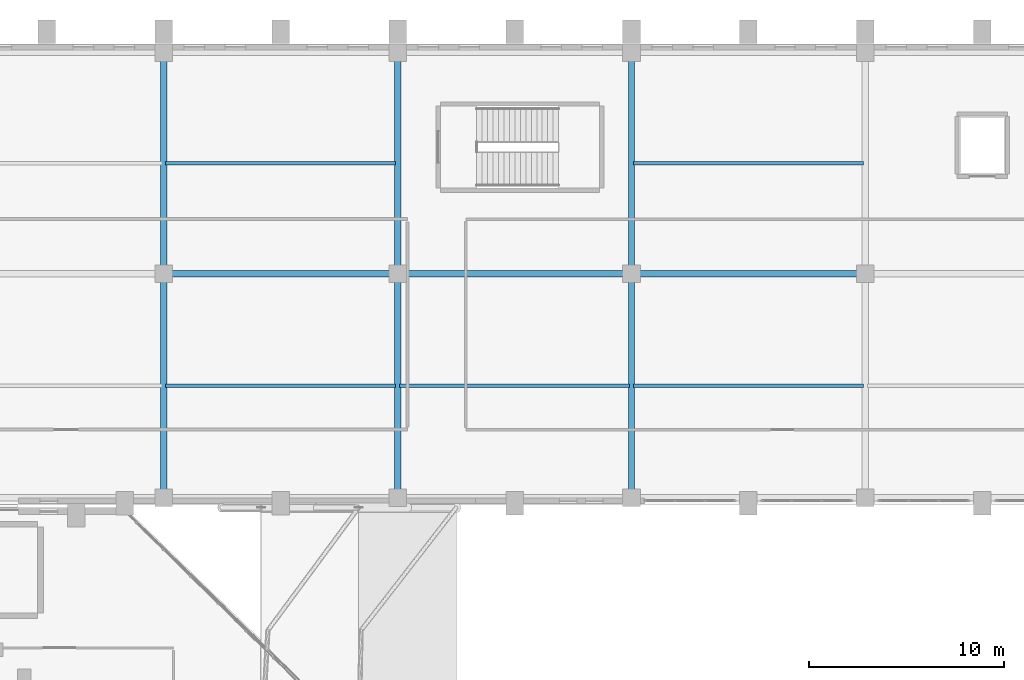
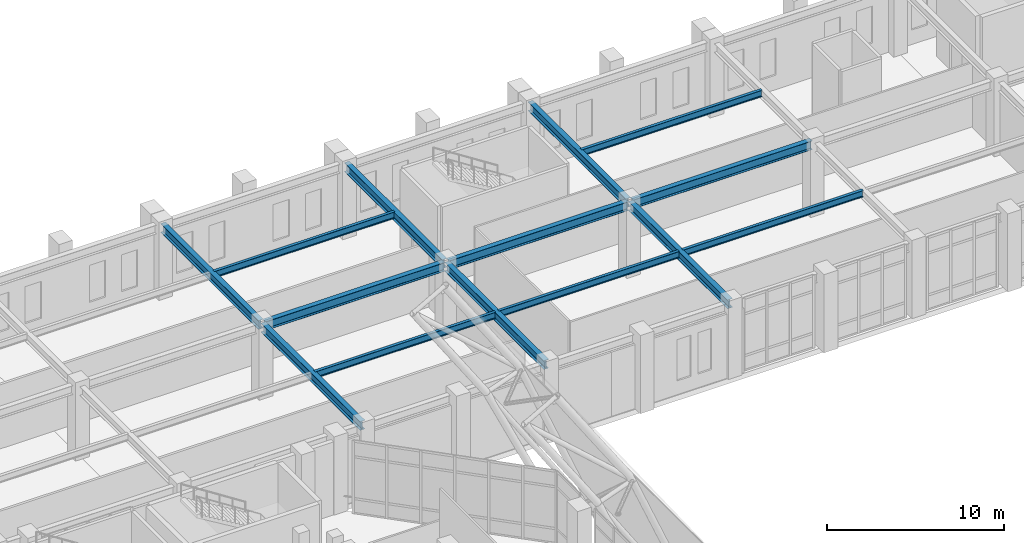
# One storey, part 60 of 159: 14 beams.
"""IFC4 building model written with IfcOpenShell, lengths in metres."""

import ifcopenshell
import ifcopenshell.guid

model = None  # the IFC model being written
_history = None  # IfcOwnerHistory: only IFC2X3 demands one
_inside = {}  # id of a spatial element -> (the spatial element, [elements in it])
_under = {}  # id of a project, library or spatial element -> (it, [spatial elements below it])
_declared = {}  # id of a project -> (the project, [libraries it declares])
_typed = {}  # id of a type object -> (the type object, [elements of that type])
_made_of = {}  # id of a material, layer set ... -> (it, [elements and type objects made of it])


def new_model(schema):
    """Start an empty IFC model of exactly this schema.

    Asked for "IFC4X3", IfcOpenShell would pick the latest addendum, in which some entities
    have other attributes; the version numbers below select the first issue.
    IFC2X3 requires an IfcOwnerHistory on every rooted entity: one is made here for all.
    """
    global model, _history
    if schema == "IFC4X3":
        model = ifcopenshell.file(schema_version=(4, 3, 0, 0))
    else:
        model = ifcopenshell.file(schema=schema)
    _inside.clear()
    _under.clear()
    _declared.clear()
    _typed.clear()
    _made_of.clear()
    _history = None
    if model.schema == "IFC2X3":
        org = make("IfcOrganization", Name="unknown")
        user = make(
            "IfcPersonAndOrganization",
            ThePerson=make("IfcPerson", FamilyName="unknown"),
            TheOrganization=org,
        )
        app = make(
            "IfcApplication",
            ApplicationDeveloper=org,
            Version="unknown",
            ApplicationFullName="unknown",
            ApplicationIdentifier="unknown",
        )
        _history = make(
            "IfcOwnerHistory",
            OwningUser=user,
            OwningApplication=app,
            ChangeAction="ADDED",
            CreationDate=0,
        )
    return model


def make(cls, **values):
    """One entity of the class cls with the attributes given. An attribute that is None is left unset."""
    return model.create_entity(
        cls, **{name: value for name, value in values.items() if value is not None}
    )


def rooted(cls, **values):
    """An entity with a GlobalId (a new one), such as an element, a storey or a relation."""
    return make(cls, GlobalId=ifcopenshell.guid.new(), OwnerHistory=_history, **values)


def si_unit(unit_type, name, prefix=None):
    """IfcSIUnit, for example si_unit("LENGTHUNIT", "METRE", prefix="MILLI")."""
    return make("IfcSIUnit", UnitType=unit_type, Prefix=prefix, Name=name)


def derived_unit(unit_type, elements):
    """IfcDerivedUnit: a product of units, each with its exponent."""
    return make(
        "IfcDerivedUnit",
        Elements=[
            make("IfcDerivedUnitElement", Unit=unit, Exponent=power)
            for unit, power in elements
        ],
        UnitType=unit_type,
    )


def assignment(units):
    """IfcUnitAssignment: the units of a project."""
    return None if units is None else make("IfcUnitAssignment", Units=units)


def point(xyz):
    """IfcCartesianPoint."""
    return None if xyz is None else make("IfcCartesianPoint", Coordinates=xyz)


def direction(xyz):
    """IfcDirection."""
    return None if xyz is None else make("IfcDirection", DirectionRatios=xyz)


def frame(location, z_axis=None, x_axis=None):
    """IfcAxis2Placement3D, a coordinate frame: its origin and axes. An axis left out is left unset."""
    return make(
        "IfcAxis2Placement3D",
        Location=point(location),
        Axis=direction(z_axis),
        RefDirection=direction(x_axis),
    )


def frame_2d(location, x_axis=None):
    """IfcAxis2Placement2D, a coordinate frame in the plane: its origin and x axis."""
    return make(
        "IfcAxis2Placement2D", Location=point(location), RefDirection=direction(x_axis)
    )


def origin():
    """The frame at (0, 0, 0) with its axes left unset."""
    return frame((0.0, 0.0, 0.0))


def origin_2d():
    """The frame at (0, 0) in the plane with its x axis left unset."""
    return frame_2d((0.0, 0.0))


def place(relative_to, where):
    """IfcLocalPlacement: puts the frame where relative to a parent placement (None: the world)."""
    return make(
        "IfcLocalPlacement", PlacementRelTo=relative_to, RelativePlacement=where
    )


def context(
    kind, dimensions, precision=None, world=None, true_north=None, identifier=None
):
    """IfcGeometricRepresentationContext, for example the 3D "Model" context."""
    return make(
        "IfcGeometricRepresentationContext",
        ContextIdentifier=identifier,
        ContextType=kind,
        CoordinateSpaceDimension=dimensions,
        Precision=precision,
        WorldCoordinateSystem=world,
        TrueNorth=true_north,
    )


def subcontext(parent, identifier, kind, view, scale=None):
    """IfcGeometricRepresentationSubContext, for example "Body" below "Model"."""
    return make(
        "IfcGeometricRepresentationSubContext",
        ContextIdentifier=identifier,
        ContextType=kind,
        ParentContext=parent,
        TargetScale=scale,
        TargetView=view,
    )


def project(units=None, contexts=None):
    """IfcProject with its units and contexts."""
    return rooted(
        "IfcProject",
        Name="project",
        RepresentationContexts=contexts,
        UnitsInContext=assignment(units),
    )


def spatial(cls, under=None, at=None, **own):
    """A site, building, storey or space (cls), placed at a placement, below another one or the project."""
    s = rooted(cls, ObjectPlacement=at, **own)
    if under is not None:
        _under.setdefault(under.id(), (under, []))[1].append(s)
    return s


def profile(cls, at=None, kind="AREA", **sizes):
    """A parametric profile (cls). Its sizes go by their IFC names, for example OverallWidth=200.0."""
    return make(cls, ProfileType=kind, Position=at, **sizes)


def i_section(**sizes):
    """IfcIShapeProfileDef."""
    return profile("IfcIShapeProfileDef", **sizes)


def extrude(swept, where, along, depth):
    """IfcExtrudedAreaSolid: the profile swept, set in the frame where, extruded along a direction by depth."""
    return make(
        "IfcExtrudedAreaSolid",
        SweptArea=swept,
        Position=where,
        ExtrudedDirection=direction(along),
        Depth=depth,
    )


def shape(context_of_items, identifier, shape_type, items):
    """IfcShapeRepresentation: the items that make up one representation, for example the "Body"."""
    return make(
        "IfcShapeRepresentation",
        ContextOfItems=context_of_items,
        RepresentationIdentifier=identifier,
        RepresentationType=shape_type,
        Items=items,
    )


def material(Name=None, Category=None):
    """IfcMaterial."""
    return make("IfcMaterial", Name=Name, Category=Category)


def material_profile(
    of_material, cross_section, Name=None, Category=None, Priority=None
):
    """IfcMaterialProfile: a cross section and its material."""
    return make(
        "IfcMaterialProfile",
        Name=Name,
        Material=of_material,
        Profile=cross_section,
        Priority=Priority,
        Category=Category,
    )


def profile_set(profiles, Name=None, composite=None):
    """IfcMaterialProfileSet."""
    return make(
        "IfcMaterialProfileSet",
        Name=Name,
        MaterialProfiles=profiles,
        CompositeProfile=composite,
    )


def made_of(thing, what):
    """Note that an element or type object is made of a material, layer set ...; save() writes the relation."""
    if what is not None:
        _made_of.setdefault(what.id(), (what, []))[1].append(thing)
    return thing


def type_object(cls, material=None, **own):
    """A type object (cls), such as IfcWallType, which elements share."""
    return made_of(rooted(cls, **own), material)


def element(
    cls,
    number,
    at=None,
    inside=None,
    cuts=None,
    type_object=None,
    material=None,
    context=None,
    identifier="Body",
    shape_type=None,
    held_by="IfcProductDefinitionShape",
    body=None,
    shapes=None,
    **own,
):
    """One element of the class cls, such as IfcWall. Its Tag is "e" and its number.

    at: its placement. inside: the storey or other place that contains it. cuts: it is an
    opening in that element (IfcRelVoidsElement). A single representation is given by context,
    identifier, shape_type and body (its items); several are given by shapes. held_by: the class
    of the entity that holds the representations. save() writes the other relations.
    """
    e = rooted(cls, Tag="e%d" % number, ObjectPlacement=at, **own)
    if body is not None:
        shapes = [shape(context, identifier, shape_type, body)]
    if shapes is not None:
        e.Representation = make(held_by, Representations=shapes)
    if inside is not None:
        _inside.setdefault(inside.id(), (inside, []))[1].append(e)
    if cuts is not None:
        rooted(
            "IfcRelVoidsElement", RelatingBuildingElement=cuts, RelatedOpeningElement=e
        )
    if type_object is not None:
        _typed.setdefault(type_object.id(), (type_object, []))[1].append(e)
    return made_of(e, material)


def aggregate(whole, parts):
    """IfcRelAggregates: a whole, such as a stair, and the parts it consists of."""
    return rooted("IfcRelAggregates", RelatingObject=whole, RelatedObjects=parts)


def save(model, path):
    """Write the relations noted so far, then the file.

    IfcRelAggregates (storeys below a building ...), IfcRelContainedInSpatialStructure (elements
    in a storey), IfcRelDefinesByType, IfcRelAssociatesMaterial and IfcRelDeclares: one each for
    every whole, place, type object, material and project.
    """
    for whole, parts in _under.values():
        aggregate(whole, parts)
    for where, things in _inside.values():
        rooted(
            "IfcRelContainedInSpatialStructure",
            RelatedElements=things,
            RelatingStructure=where,
        )
    for kind, things in _typed.values():
        rooted("IfcRelDefinesByType", RelatedObjects=things, RelatingType=kind)
    for what, things in _made_of.values():
        rooted("IfcRelAssociatesMaterial", RelatedObjects=things, RelatingMaterial=what)
    for by, libraries in _declared.values():
        rooted("IfcRelDeclares", RelatingContext=by, RelatedDefinitions=libraries)
    model.write(path)


model = new_model("IFC4")

# Units and contexts
model_context = context("Model", 3, precision=1e-05, world=origin(), true_north=direction((0.0, 1.0)))
body_context = subcontext(model_context, "Body", "Model", "MODEL_VIEW")
ifc_project = project(units=[si_unit("LENGTHUNIT", "METRE"), si_unit("AREAUNIT", "SQUARE_METRE"), si_unit("VOLUMEUNIT", "CUBIC_METRE"), si_unit("PLANEANGLEUNIT", "RADIAN"), si_unit("MASSUNIT", "GRAM", prefix="KILO"), derived_unit("THERMALTRANSMITTANCEUNIT", [(si_unit("MASSUNIT", "GRAM", prefix="KILO"), 1), (si_unit("TIMEUNIT", "SECOND"), -3), (si_unit("THERMODYNAMICTEMPERATUREUNIT", "KELVIN"), -1)])], contexts=[model_context])

# Site, building, storey
site_placement = place(None, origin())
site = spatial("IfcSite", under=ifc_project, at=site_placement, CompositionType="ELEMENT")
building_placement = place(site_placement, origin())
building = spatial("IfcBuilding", under=site, at=building_placement, Name="Valcora Ridge Arena", CompositionType="ELEMENT")
storey_placement = place(building_placement, frame((0.0, 0.0, 6.0)))
storey = spatial("IfcBuildingStorey", under=building, at=storey_placement, Name="L01", CompositionType="ELEMENT", Elevation=6.0)

# Beams
ifc_material = material(Name="Steel ASTM A572 Grade 50", Category="steel")
ifc_material_profile_1 = material_profile(ifc_material, i_section(OverallWidth=0.324951171875, OverallDepth=0.612060546875, WebThickness=0.0126953125, FlangeThickness=0.01904296875, FilletRadius=0.01806640625, at=origin_2d()), Name="W24X104")
ifc_profile_set_1 = profile_set([ifc_material_profile_1], Name="Steel ASTM A572 Grade 50")
beam_type_1 = type_object("IfcBeamType", Name="TY-BEAM-G-W24X104-X", PredefinedType="BEAM", material=ifc_profile_set_1)
for number, where, z_axis, x_axis, name in (
    (1, (96.139892578125, 120.199951171875, 4.73388671875), (1.0, 0.0, 0.0), (0.0, 1.0, 0.0), "G-W24X104-X BEM-G-W24X104-X-0055"),
    (2, (108.139892578125, 120.199951171875, 4.73388671875), (1.0, 0.0, 0.0), (0.0, 1.0, 0.0), "G-W24X104-X BEM-G-W24X104-X-0056"),
    (3, (120.139892578125, 120.199951171875, 4.73388671875), (1.0, 0.0, 0.0), (0.0, 1.0, 0.0), "G-W24X104-X BEM-G-W24X104-X-0057"),
):
    element("IfcBeam", number, at=place(storey_placement, frame(where, z_axis=z_axis, x_axis=x_axis)), inside=storey, type_object=beam_type_1, Name=name, PredefinedType="BEAM", context=body_context, shape_type="SweptSolid", body=[
        extrude(i_section(OverallWidth=0.324951171875, OverallDepth=0.612060546875, WebThickness=0.0126953125, FlangeThickness=0.01904296875, FilletRadius=0.01806640625, at=origin_2d()), origin(), (0.0, 0.0, 1.0), 11.72021484375),
    ])
ifc_material_profile_2 = material_profile(ifc_material, i_section(OverallWidth=0.324951171875, OverallDepth=0.612060546875, WebThickness=0.0126953125, FlangeThickness=0.01904296875, FilletRadius=0.01806640625, at=origin_2d()), Name="W24X104")
ifc_profile_set_2 = profile_set([ifc_material_profile_2], Name="Steel ASTM A572 Grade 50")
beam_type_2 = type_object("IfcBeamType", Name="TY-BEAM-G-W24X104-Y", PredefinedType="BEAM", material=ifc_profile_set_2)
beam_1_placement = place(storey_placement, frame((96.0, 108.840087890625, 4.73388671875), z_axis=(0.0, 1.0, 0.0), x_axis=(-1.0, 0.0, 0.0)))
element("IfcBeam", 4, at=beam_1_placement, inside=storey, type_object=beam_type_2, Name="G-W24X104-Y BEM-G-W24X104-Y-0048", PredefinedType="BEAM", context=body_context, shape_type="SweptSolid", body=[
    extrude(i_section(OverallWidth=0.324951171875, OverallDepth=0.612060546875, WebThickness=0.0126953125, FlangeThickness=0.01904296875, FilletRadius=0.01806640625, at=origin_2d()), origin(), (0.0, 0.0, 1.0), 11.219970703125),
])
beam_2_placement = place(storey_placement, frame((96.0, 120.340087890625, 4.73388671875), z_axis=(0.0, 1.0, 0.0), x_axis=(-1.0, 0.0, 0.0)))
element("IfcBeam", 5, at=beam_2_placement, inside=storey, type_object=beam_type_2, Name="G-W24X104-Y BEM-G-W24X104-Y-0049", PredefinedType="BEAM", context=body_context, shape_type="SweptSolid", body=[
    extrude(i_section(OverallWidth=0.324951171875, OverallDepth=0.612060546875, WebThickness=0.0126953125, FlangeThickness=0.01904296875, FilletRadius=0.01806640625, at=origin_2d()), origin(), (0.0, 0.0, 1.0), 11.06982421875),
])
beam_3_placement = place(storey_placement, frame((108.0, 108.840087890625, 4.73388671875), z_axis=(0.0, 1.0, 0.0), x_axis=(-1.0, 0.0, 0.0)))
element("IfcBeam", 6, at=beam_3_placement, inside=storey, type_object=beam_type_2, Name="G-W24X104-Y BEM-G-W24X104-Y-0050", PredefinedType="BEAM", context=body_context, shape_type="SweptSolid", body=[
    extrude(i_section(OverallWidth=0.324951171875, OverallDepth=0.612060546875, WebThickness=0.0126953125, FlangeThickness=0.01904296875, FilletRadius=0.01806640625, at=origin_2d()), origin(), (0.0, 0.0, 1.0), 11.219970703125),
])
beam_4_placement = place(storey_placement, frame((108.0, 120.340087890625, 4.73388671875), z_axis=(0.0, 1.0, 0.0), x_axis=(-1.0, 0.0, 0.0)))
element("IfcBeam", 7, at=beam_4_placement, inside=storey, type_object=beam_type_2, Name="G-W24X104-Y BEM-G-W24X104-Y-0051", PredefinedType="BEAM", context=body_context, shape_type="SweptSolid", body=[
    extrude(i_section(OverallWidth=0.324951171875, OverallDepth=0.612060546875, WebThickness=0.0126953125, FlangeThickness=0.01904296875, FilletRadius=0.01806640625, at=origin_2d()), origin(), (0.0, 0.0, 1.0), 11.06982421875),
])
beam_5_placement = place(storey_placement, frame((120.0, 108.840087890625, 4.73388671875), z_axis=(0.0, 1.0, 0.0), x_axis=(-1.0, 0.0, 0.0)))
element("IfcBeam", 8, at=beam_5_placement, inside=storey, type_object=beam_type_2, Name="G-W24X104-Y BEM-G-W24X104-Y-0052", PredefinedType="BEAM", context=body_context, shape_type="SweptSolid", body=[
    extrude(i_section(OverallWidth=0.324951171875, OverallDepth=0.612060546875, WebThickness=0.0126953125, FlangeThickness=0.01904296875, FilletRadius=0.01806640625, at=origin_2d()), origin(), (0.0, 0.0, 1.0), 11.219970703125),
])
beam_6_placement = place(storey_placement, frame((120.0, 120.340087890625, 4.73388671875), z_axis=(0.0, 1.0, 0.0), x_axis=(-1.0, 0.0, 0.0)))
element("IfcBeam", 9, at=beam_6_placement, inside=storey, type_object=beam_type_2, Name="G-W24X104-Y BEM-G-W24X104-Y-0053", PredefinedType="BEAM", context=body_context, shape_type="SweptSolid", body=[
    extrude(i_section(OverallWidth=0.324951171875, OverallDepth=0.612060546875, WebThickness=0.0126953125, FlangeThickness=0.01904296875, FilletRadius=0.01806640625, at=origin_2d()), origin(), (0.0, 0.0, 1.0), 11.06982421875),
])
ifc_material_profile_3 = material_profile(ifc_material, i_section(OverallWidth=0.18994140625, OverallDepth=0.45703125, WebThickness=0.009033203125, FlangeThickness=0.014404296875, FilletRadius=0.014892578125, at=origin_2d()), Name="W18X50")
ifc_profile_set_3 = profile_set([ifc_material_profile_3], Name="Steel ASTM A572 Grade 50")
beam_type_3 = type_object("IfcBeamType", Name="TY-BEAM-J-W18X50", PredefinedType="JOIST", material=ifc_profile_set_3)
for number, where, z_axis, x_axis, name in (
    (10, (96.10009765625, 114.449951171875, 4.8115234375), (1.0, 0.0, 0.0), (0.0, 1.0, 0.0), "J-W18X50 BEM-J-W18X50-0035"),
    (11, (96.10009765625, 125.875, 4.8115234375), (1.0, 0.0, 0.0), (0.0, 1.0, 0.0), "J-W18X50 BEM-J-W18X50-0036"),
    (12, (108.10009765625, 114.449951171875, 4.8115234375), (1.0, 0.0, 0.0), (0.0, 1.0, 0.0), "J-W18X50 BEM-J-W18X50-0037"),
    (13, (120.10009765625, 114.449951171875, 4.8115234375), (1.0, 0.0, 0.0), (0.0, 1.0, 0.0), "J-W18X50 BEM-J-W18X50-0038"),
    (14, (120.10009765625, 125.875, 4.8115234375), (1.0, 0.0, 0.0), (0.0, 1.0, 0.0), "J-W18X50 BEM-J-W18X50-0039"),
):
    element("IfcBeam", number, at=place(storey_placement, frame(where, z_axis=z_axis, x_axis=x_axis)), inside=storey, type_object=beam_type_3, Name=name, PredefinedType="JOIST", context=body_context, shape_type="SweptSolid", body=[
        extrude(i_section(OverallWidth=0.18994140625, OverallDepth=0.45703125, WebThickness=0.009033203125, FlangeThickness=0.014404296875, FilletRadius=0.014892578125, at=origin_2d()), origin(), (0.0, 0.0, 1.0), 11.7998046875),
    ])

save(model, "model.ifc")
